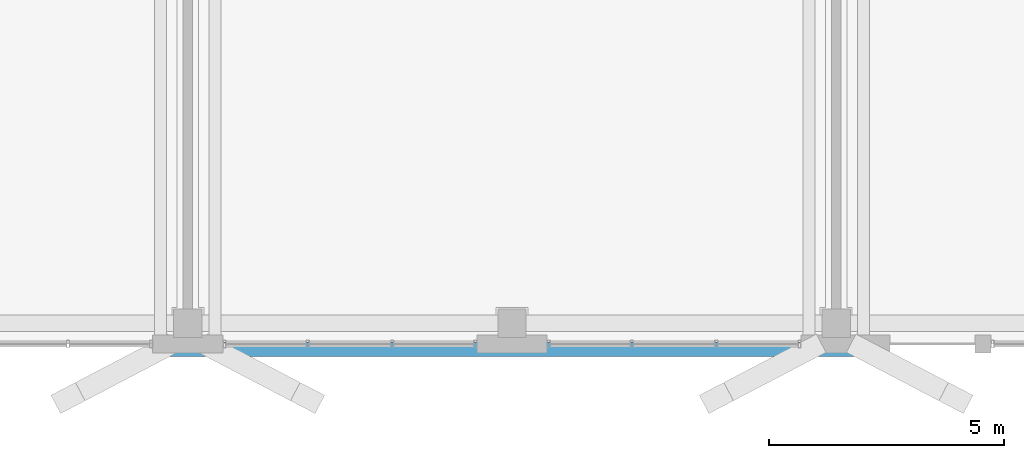
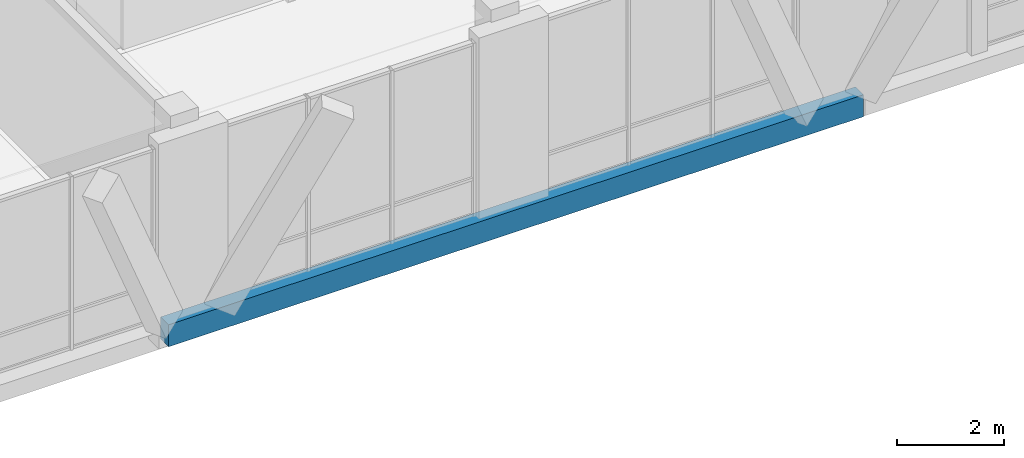
# One storey, part 26 of 233: 1 beam.
"""IFC4 building model written with IfcOpenShell, lengths in metres."""

from ifc_helpers import new_model, si_unit, direction, frame, origin, origin_2d, place, context, subcontext, project, spatial, rectangle, extrude, material, material_profile, profile_set, type_object, element, save


model = new_model("IFC4")

# Units and contexts
model_context = context("Model", 3, precision=1e-05, world=origin(), true_north=direction((0.0, 1.0)))
body_context = subcontext(model_context, "Body", "Model", "MODEL_VIEW")
ifc_project = project(units=[si_unit("LENGTHUNIT", "METRE"), si_unit("AREAUNIT", "SQUARE_METRE"), si_unit("VOLUMEUNIT", "CUBIC_METRE"), si_unit("PLANEANGLEUNIT", "RADIAN"), si_unit("MASSUNIT", "GRAM", prefix="KILO")], contexts=[model_context])

# Site, building, storey
site_placement = place(None, origin())
site = spatial("IfcSite", under=ifc_project, at=site_placement, CompositionType="ELEMENT")
building_placement = place(site_placement, origin())
building = spatial("IfcBuilding", under=site, at=building_placement, Name="Zavelmont Quarter", CompositionType="ELEMENT")
storey_placement = place(building_placement, origin())
storey = spatial("IfcBuildingStorey", under=building, at=storey_placement, Name="L00", CompositionType="ELEMENT", Elevation=0.0)

# Beam
ifc_material = material(Name="Concrete C35/45", Category="concrete")
ifc_material_profile = material_profile(ifc_material, rectangle(XDim=0.300048828125, YDim=0.5, at=origin_2d()), Name="RC300X500")
ifc_profile_set = profile_set([ifc_material_profile], Name="Concrete C35/45")
beam_type = type_object("IfcBeamType", Name="BM03", PredefinedType="BEAM", material=ifc_profile_set)
beam_placement = place(storey_placement, frame((20.1201171875, -0.1201171875, -0.25), z_axis=(1.0, 0.0, 0.0), x_axis=(0.0, 1.0, 0.0)))
element("IfcBeam", 1, at=beam_placement, inside=storey, type_object=beam_type, Name="L00 beam BM03 4/A to 6/A", PredefinedType="BEAM", context=body_context, shape_type="SweptSolid", body=[
    extrude(rectangle(XDim=0.300048828125, YDim=0.5, at=origin_2d()), origin(), (0.0, 0.0, 1.0), 14.9599609375),
])

save(model, "model.ifc")
